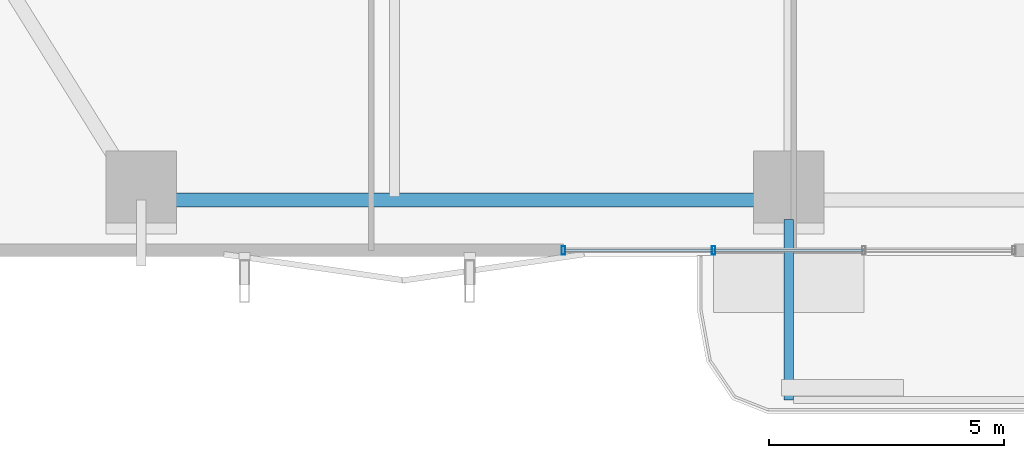
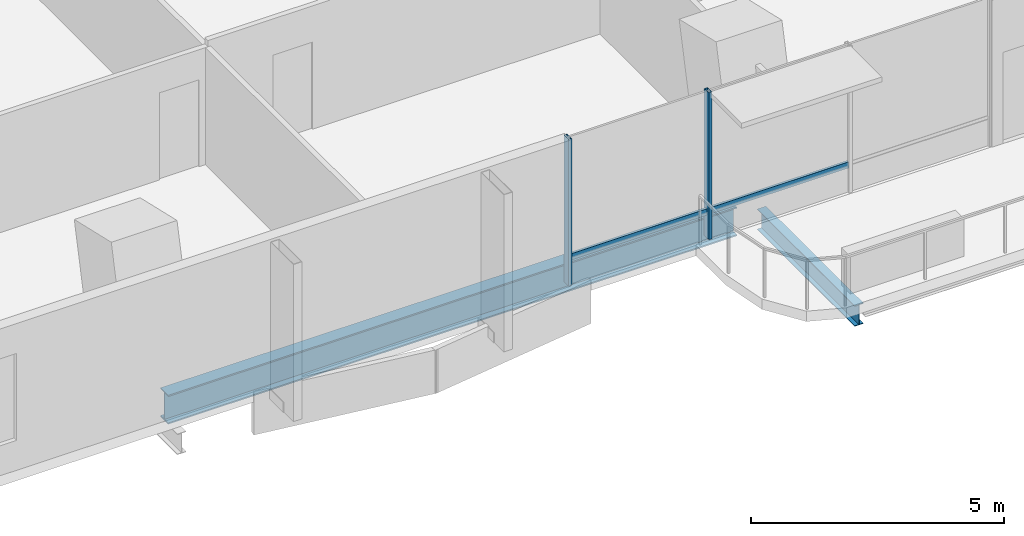
# One storey, part 2 of 24: 4 members, 2 beams, 1 element without a shape of its own.
"""IFC4 building model written with IfcOpenShell, lengths in metres."""

from ifc_helpers import new_model, si_unit, direction, frame, origin, origin_2d, place, context, subcontext, project, spatial, hollow_rectangle, i_section, extrude, material, layer, layer_set, material_profile, profile_set, type_object, element, aggregate, save


model = new_model("IFC4")

# Units and contexts
model_context = context("Model", 3, precision=1e-05, world=origin(), true_north=direction((0.0, 1.0)))
body_context = subcontext(model_context, "Body", "Model", "MODEL_VIEW")
ifc_project = project(units=[si_unit("LENGTHUNIT", "METRE"), si_unit("AREAUNIT", "SQUARE_METRE"), si_unit("VOLUMEUNIT", "CUBIC_METRE"), si_unit("PLANEANGLEUNIT", "RADIAN"), si_unit("MASSUNIT", "GRAM", prefix="KILO")], contexts=[model_context])

# Site, building, storey
site_placement = place(None, origin())
site = spatial("IfcSite", under=ifc_project, at=site_placement, CompositionType="ELEMENT")
building_placement = place(site_placement, origin())
building = spatial("IfcBuilding", under=site, at=building_placement, Name="Belovzor Exchange Tower", CompositionType="ELEMENT")
storey_placement = place(building_placement, frame((0.0, 0.0, 104.10009765625)))
storey = spatial("IfcBuildingStorey", under=building, at=storey_placement, Name="L25", CompositionType="ELEMENT", Elevation=104.10009765625)

# Beam
ifc_material_1 = material(Name="Steel S355", Category="steel")
ifc_material_profile_1 = material_profile(ifc_material_1, i_section(OverallWidth=0.199951171875, OverallDepth=0.5, WebThickness=0.01025390625, FlangeThickness=0.01611328125, at=origin_2d()))
ifc_profile_set_1 = profile_set([ifc_material_profile_1], Name="Steel S355")
beam_type_1 = type_object("IfcBeamType", Name="Planted Balcony Cantilever Beam IPE 500", PredefinedType="BEAM", material=ifc_profile_set_1)
beam_1_placement = place(storey_placement, frame((28.800048828125, 1.68798828125, -0.5), z_axis=(0.0, -1.0, 0.0), x_axis=(1.0, 0.0, 0.0)))
element("IfcBeam", 1, at=beam_1_placement, inside=storey, type_object=beam_type_1, Name="BC-500 Planted Balcony Cantilever Beam IPE 500", PredefinedType="BEAM", context=body_context, shape_type="SweptSolid", body=[
    extrude(i_section(OverallWidth=0.199951171875, OverallDepth=0.5, WebThickness=0.01025390625, FlangeThickness=0.01611328125, at=origin_2d()), origin(), (0.0, 0.0, 1.0), 3.85009765625),
])

# Curtain wall, members
ifc_material_2 = material(Name="Anodised Aluminium Framing", Category="aluminium")
ifc_layer = layer(ifc_material_2, 0.179931640625)
ifc_layer_set = layer_set([ifc_layer], Name="Anodised Aluminium Framing")
curtain_wall_type = type_object("IfcCurtainWallType", Name="Recessed Loggia Low-Iron Triple-Glazed Curtain Wall", PredefinedType="NOTDEFINED", material=ifc_layer_set)
curtain_wall_placement = place(storey_placement, origin())
curtain_wall = element("IfcCurtainWall", 2, at=curtain_wall_placement, inside=storey, type_object=curtain_wall_type, Name="CW3 Recessed Loggia Low-Iron Triple-Glazed Curtain Wall L25", PredefinedType="NOTDEFINED")
ifc_material_3 = material(Name="Steel S355", Category="steel")
ifc_material_profile_2 = material_profile(ifc_material_3, hollow_rectangle(XDim=0.074951171875, YDim=0.179931640625, WallThickness=0.0048828125, at=origin_2d()))
ifc_profile_set_2 = profile_set([ifc_material_profile_2], Name="Steel S355")
member_type_1 = type_object("IfcMemberType", Name="Thermally Broken Curtain Wall Mullion 180x75", PredefinedType="MULLION", material=ifc_profile_set_2)
member_1_placement = place(storey_placement, frame((27.199951171875, 1.030029296875, 0.0), z_axis=(0.0, 0.0, 1.0), x_axis=(-1.0, 0.0, 0.0)))
member_1 = element("IfcMember", 3, at=member_1_placement, type_object=member_type_1, Name="CW-M180 Curtain Wall Mullion 3", PredefinedType="MULLION", context=body_context, shape_type="SweptSolid", body=[
    extrude(hollow_rectangle(XDim=0.074951171875, YDim=0.179931640625, WallThickness=0.0048828125, at=origin_2d()), origin(), (0.0, 0.0, 1.0), 3.539794921875),
])
member_2_placement = place(storey_placement, frame((24.0, 1.030029296875, 0.0), z_axis=(0.0, 0.0, 1.0), x_axis=(-1.0, 0.0, 0.0)))
member_2 = element("IfcMember", 4, at=member_2_placement, type_object=member_type_1, Name="CW-M180 Curtain Wall Mullion 4", PredefinedType="MULLION", context=body_context, shape_type="SweptSolid", body=[
    extrude(hollow_rectangle(XDim=0.074951171875, YDim=0.179931640625, WallThickness=0.0048828125, at=origin_2d()), origin(), (0.0, 0.0, 1.0), 3.539794921875),
])
ifc_material_4 = material(Name="Steel S355", Category="steel")
ifc_material_profile_3 = material_profile(ifc_material_4, hollow_rectangle(XDim=0.06005859375, YDim=0.14990234375, WallThickness=0.00390625, at=origin_2d()))
ifc_profile_set_3 = profile_set([ifc_material_profile_3], Name="Steel S355")
member_type_2 = type_object("IfcMemberType", Name="Thermally Broken Curtain Wall Transom 150x60", PredefinedType="USERDEFINED", material=ifc_profile_set_3)
member_3_placement = place(storey_placement, frame((30.39208984375, 1.030029296875, 0.636962890625), z_axis=(-1.0, 0.0, 0.0), x_axis=(0.0, -1.0, 0.0)))
member_3 = element("IfcMember", 5, at=member_3_placement, type_object=member_type_2, Name="CW-T150 Curtain Wall Transom 2", ObjectType="TRANSOM", PredefinedType="USERDEFINED", context=body_context, shape_type="SweptSolid", body=[
    extrude(hollow_rectangle(XDim=0.06005859375, YDim=0.14990234375, WallThickness=0.00390625, at=origin_2d()), origin(), (0.0, 0.0, 1.0), 3.18408203125),
])
member_4_placement = place(storey_placement, frame((27.19189453125, 1.030029296875, 0.636962890625), z_axis=(-1.0, 0.0, 0.0), x_axis=(0.0, -1.0, 0.0)))
member_4 = element("IfcMember", 6, at=member_4_placement, type_object=member_type_2, Name="CW-T150 Curtain Wall Transom 3", ObjectType="TRANSOM", PredefinedType="USERDEFINED", context=body_context, shape_type="SweptSolid", body=[
    extrude(hollow_rectangle(XDim=0.06005859375, YDim=0.14990234375, WallThickness=0.00390625, at=origin_2d()), origin(), (0.0, 0.0, 1.0), 3.183837890625),
])
aggregate(curtain_wall, [member_1, member_2, member_3, member_4])

# Beam
ifc_material_5 = material(Name="Steel S355", Category="steel")
ifc_material_profile_4 = material_profile(ifc_material_5, i_section(OverallWidth=0.300048828125, OverallDepth=0.699951171875, WebThickness=0.01708984375, FlangeThickness=0.031982421875, at=origin_2d()))
ifc_profile_set_4 = profile_set([ifc_material_profile_4], Name="Steel S355")
beam_type_2 = type_object("IfcBeamType", Name="Zone 1 Primary Perimeter Girder HEB 700", PredefinedType="BEAM", material=ifc_profile_set_4)
beam_2_placement = place(storey_placement, frame((15.412109375, 2.10009765625, -0.60009765625), z_axis=(1.0, 0.0, 0.0), x_axis=(0.0, 1.0, 0.0)))
element("IfcBeam", 7, at=beam_2_placement, inside=storey, type_object=beam_type_2, Name="FG-Z1 Zone 1 Primary Perimeter Girder HEB 700", PredefinedType="BEAM", context=body_context, shape_type="SweptSolid", body=[
    extrude(i_section(OverallWidth=0.300048828125, OverallDepth=0.699951171875, WebThickness=0.01708984375, FlangeThickness=0.031982421875, at=origin_2d()), origin(), (0.0, 0.0, 1.0), 12.974853515625),
])

save(model, "model.ifc")
